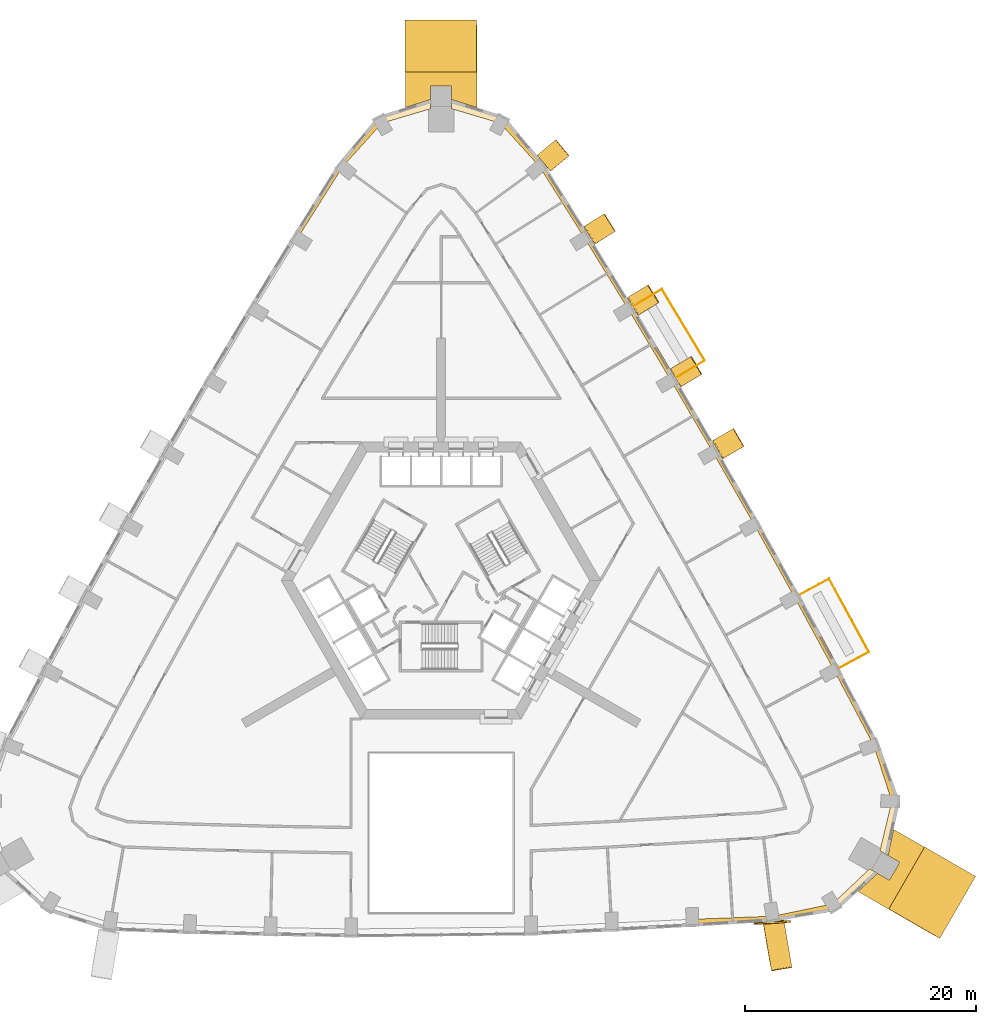
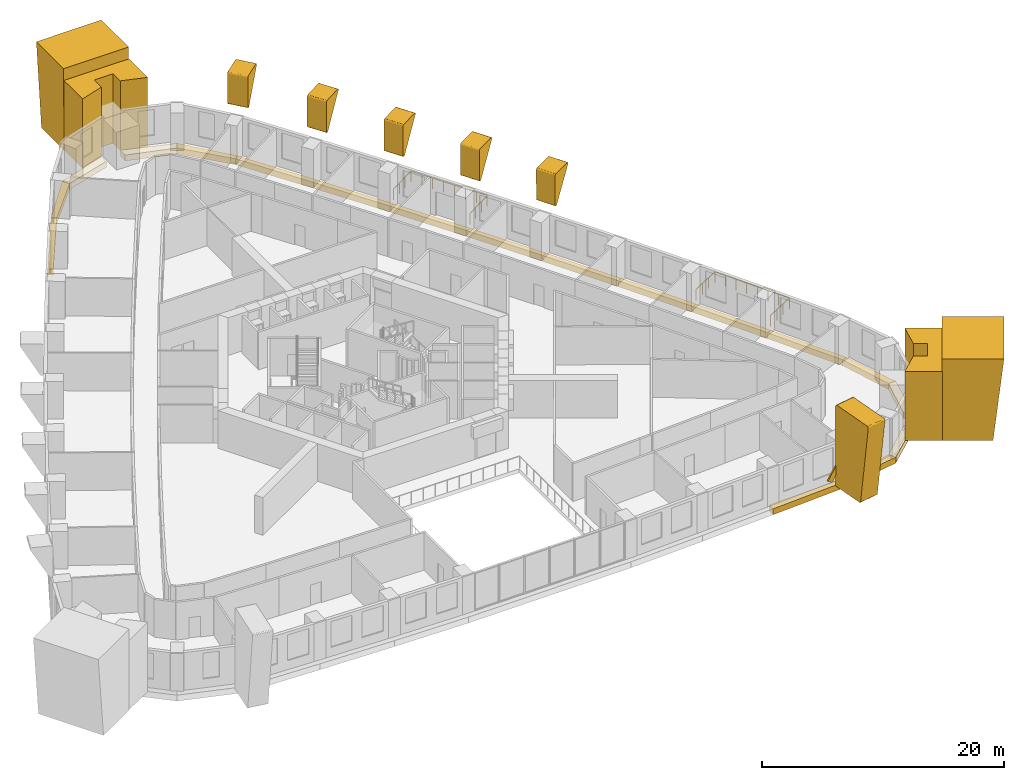
# One storey, part 15 of 15: 28 coverings, 2 railings, 1 shading device.
"""IFC4 building model written with IfcOpenShell, lengths in metres."""

import ifcopenshell
import ifcopenshell.guid

model = None  # the IFC model being written
_history = None  # IfcOwnerHistory: only IFC2X3 demands one
_inside = {}  # id of a spatial element -> (the spatial element, [elements in it])
_under = {}  # id of a project, library or spatial element -> (it, [spatial elements below it])
_declared = {}  # id of a project -> (the project, [libraries it declares])
_typed = {}  # id of a type object -> (the type object, [elements of that type])
_made_of = {}  # id of a material, layer set ... -> (it, [elements and type objects made of it])


def new_model(schema):
    """Start an empty IFC model of exactly this schema.

    Asked for "IFC4X3", IfcOpenShell would pick the latest addendum, in which some entities
    have other attributes; the version numbers below select the first issue.
    IFC2X3 requires an IfcOwnerHistory on every rooted entity: one is made here for all.
    """
    global model, _history
    if schema == "IFC4X3":
        model = ifcopenshell.file(schema_version=(4, 3, 0, 0))
    else:
        model = ifcopenshell.file(schema=schema)
    _inside.clear()
    _under.clear()
    _declared.clear()
    _typed.clear()
    _made_of.clear()
    _history = None
    if model.schema == "IFC2X3":
        org = make("IfcOrganization", Name="unknown")
        user = make(
            "IfcPersonAndOrganization",
            ThePerson=make("IfcPerson", FamilyName="unknown"),
            TheOrganization=org,
        )
        app = make(
            "IfcApplication",
            ApplicationDeveloper=org,
            Version="unknown",
            ApplicationFullName="unknown",
            ApplicationIdentifier="unknown",
        )
        _history = make(
            "IfcOwnerHistory",
            OwningUser=user,
            OwningApplication=app,
            ChangeAction="ADDED",
            CreationDate=0,
        )
    return model


def make(cls, **values):
    """One entity of the class cls with the attributes given. An attribute that is None is left unset."""
    return model.create_entity(
        cls, **{name: value for name, value in values.items() if value is not None}
    )


def rooted(cls, **values):
    """An entity with a GlobalId (a new one), such as an element, a storey or a relation."""
    return make(cls, GlobalId=ifcopenshell.guid.new(), OwnerHistory=_history, **values)


def si_unit(unit_type, name, prefix=None):
    """IfcSIUnit, for example si_unit("LENGTHUNIT", "METRE", prefix="MILLI")."""
    return make("IfcSIUnit", UnitType=unit_type, Prefix=prefix, Name=name)


def assignment(units):
    """IfcUnitAssignment: the units of a project."""
    return None if units is None else make("IfcUnitAssignment", Units=units)


def point(xyz):
    """IfcCartesianPoint."""
    return None if xyz is None else make("IfcCartesianPoint", Coordinates=xyz)


def direction(xyz):
    """IfcDirection."""
    return None if xyz is None else make("IfcDirection", DirectionRatios=xyz)


def frame(location, z_axis=None, x_axis=None):
    """IfcAxis2Placement3D, a coordinate frame: its origin and axes. An axis left out is left unset."""
    return make(
        "IfcAxis2Placement3D",
        Location=point(location),
        Axis=direction(z_axis),
        RefDirection=direction(x_axis),
    )


def frame_2d(location, x_axis=None):
    """IfcAxis2Placement2D, a coordinate frame in the plane: its origin and x axis."""
    return make(
        "IfcAxis2Placement2D", Location=point(location), RefDirection=direction(x_axis)
    )


def origin():
    """The frame at (0, 0, 0) with its axes left unset."""
    return frame((0.0, 0.0, 0.0))


def origin_2d():
    """The frame at (0, 0) in the plane with its x axis left unset."""
    return frame_2d((0.0, 0.0))


def place(relative_to, where):
    """IfcLocalPlacement: puts the frame where relative to a parent placement (None: the world)."""
    return make(
        "IfcLocalPlacement", PlacementRelTo=relative_to, RelativePlacement=where
    )


def context(
    kind, dimensions, precision=None, world=None, true_north=None, identifier=None
):
    """IfcGeometricRepresentationContext, for example the 3D "Model" context."""
    return make(
        "IfcGeometricRepresentationContext",
        ContextIdentifier=identifier,
        ContextType=kind,
        CoordinateSpaceDimension=dimensions,
        Precision=precision,
        WorldCoordinateSystem=world,
        TrueNorth=true_north,
    )


def subcontext(parent, identifier, kind, view, scale=None):
    """IfcGeometricRepresentationSubContext, for example "Body" below "Model"."""
    return make(
        "IfcGeometricRepresentationSubContext",
        ContextIdentifier=identifier,
        ContextType=kind,
        ParentContext=parent,
        TargetScale=scale,
        TargetView=view,
    )


def project(units=None, contexts=None):
    """IfcProject with its units and contexts."""
    return rooted(
        "IfcProject",
        Name="project",
        RepresentationContexts=contexts,
        UnitsInContext=assignment(units),
    )


def spatial(cls, under=None, at=None, **own):
    """A site, building, storey or space (cls), placed at a placement, below another one or the project."""
    s = rooted(cls, ObjectPlacement=at, **own)
    if under is not None:
        _under.setdefault(under.id(), (under, []))[1].append(s)
    return s


def polyline(points):
    """IfcPolyline through the points."""
    return make("IfcPolyline", Points=[point(p) for p in points])


def profile(cls, at=None, kind="AREA", **sizes):
    """A parametric profile (cls). Its sizes go by their IFC names, for example OverallWidth=200.0."""
    return make(cls, ProfileType=kind, Position=at, **sizes)


def rectangle(**sizes):
    """IfcRectangleProfileDef."""
    return profile("IfcRectangleProfileDef", **sizes)


def circle(**sizes):
    """IfcCircleProfileDef."""
    return profile("IfcCircleProfileDef", **sizes)


def outline(outer, holes=None, kind="AREA"):
    """IfcArbitraryClosedProfileDef: a profile drawn as a closed curve; with holes, ...WithVoids."""
    if holes is None:
        return make("IfcArbitraryClosedProfileDef", ProfileType=kind, OuterCurve=outer)
    return make(
        "IfcArbitraryProfileDefWithVoids",
        ProfileType=kind,
        OuterCurve=outer,
        InnerCurves=holes,
    )


def extrude(swept, where, along, depth):
    """IfcExtrudedAreaSolid: the profile swept, set in the frame where, extruded along a direction by depth."""
    return make(
        "IfcExtrudedAreaSolid",
        SweptArea=swept,
        Position=where,
        ExtrudedDirection=direction(along),
        Depth=depth,
    )


def shape(context_of_items, identifier, shape_type, items):
    """IfcShapeRepresentation: the items that make up one representation, for example the "Body"."""
    return make(
        "IfcShapeRepresentation",
        ContextOfItems=context_of_items,
        RepresentationIdentifier=identifier,
        RepresentationType=shape_type,
        Items=items,
    )


def material(Name=None, Category=None):
    """IfcMaterial."""
    return make("IfcMaterial", Name=Name, Category=Category)


def material_profile(
    of_material, cross_section, Name=None, Category=None, Priority=None
):
    """IfcMaterialProfile: a cross section and its material."""
    return make(
        "IfcMaterialProfile",
        Name=Name,
        Material=of_material,
        Profile=cross_section,
        Priority=Priority,
        Category=Category,
    )


def profile_set(profiles, Name=None, composite=None):
    """IfcMaterialProfileSet."""
    return make(
        "IfcMaterialProfileSet",
        Name=Name,
        MaterialProfiles=profiles,
        CompositeProfile=composite,
    )


def made_of(thing, what):
    """Note that an element or type object is made of a material, layer set ...; save() writes the relation."""
    if what is not None:
        _made_of.setdefault(what.id(), (what, []))[1].append(thing)
    return thing


def type_object(cls, material=None, **own):
    """A type object (cls), such as IfcWallType, which elements share."""
    return made_of(rooted(cls, **own), material)


def element(
    cls,
    number,
    at=None,
    inside=None,
    cuts=None,
    type_object=None,
    material=None,
    context=None,
    identifier="Body",
    shape_type=None,
    held_by="IfcProductDefinitionShape",
    body=None,
    shapes=None,
    **own,
):
    """One element of the class cls, such as IfcWall. Its Tag is "e" and its number.

    at: its placement. inside: the storey or other place that contains it. cuts: it is an
    opening in that element (IfcRelVoidsElement). A single representation is given by context,
    identifier, shape_type and body (its items); several are given by shapes. held_by: the class
    of the entity that holds the representations. save() writes the other relations.
    """
    e = rooted(cls, Tag="e%d" % number, ObjectPlacement=at, **own)
    if body is not None:
        shapes = [shape(context, identifier, shape_type, body)]
    if shapes is not None:
        e.Representation = make(held_by, Representations=shapes)
    if inside is not None:
        _inside.setdefault(inside.id(), (inside, []))[1].append(e)
    if cuts is not None:
        rooted(
            "IfcRelVoidsElement", RelatingBuildingElement=cuts, RelatedOpeningElement=e
        )
    if type_object is not None:
        _typed.setdefault(type_object.id(), (type_object, []))[1].append(e)
    return made_of(e, material)


def aggregate(whole, parts):
    """IfcRelAggregates: a whole, such as a stair, and the parts it consists of."""
    return rooted("IfcRelAggregates", RelatingObject=whole, RelatedObjects=parts)


def save(model, path):
    """Write the relations noted so far, then the file.

    IfcRelAggregates (storeys below a building ...), IfcRelContainedInSpatialStructure (elements
    in a storey), IfcRelDefinesByType, IfcRelAssociatesMaterial and IfcRelDeclares: one each for
    every whole, place, type object, material and project.
    """
    for whole, parts in _under.values():
        aggregate(whole, parts)
    for where, things in _inside.values():
        rooted(
            "IfcRelContainedInSpatialStructure",
            RelatedElements=things,
            RelatingStructure=where,
        )
    for kind, things in _typed.values():
        rooted("IfcRelDefinesByType", RelatedObjects=things, RelatingType=kind)
    for what, things in _made_of.values():
        rooted("IfcRelAssociatesMaterial", RelatedObjects=things, RelatingMaterial=what)
    for by, libraries in _declared.values():
        rooted("IfcRelDeclares", RelatingContext=by, RelatedDefinitions=libraries)
    model.write(path)


model = new_model("IFC4")

# Units and contexts
model_context = context("Model", 3, precision=1e-05, world=origin(), true_north=direction((0.0, 1.0)))
body_context = subcontext(model_context, "Body", "Model", "MODEL_VIEW")
ifc_project = project(units=[si_unit("LENGTHUNIT", "METRE"), si_unit("AREAUNIT", "SQUARE_METRE"), si_unit("VOLUMEUNIT", "CUBIC_METRE"), si_unit("PLANEANGLEUNIT", "RADIAN"), si_unit("MASSUNIT", "GRAM", prefix="KILO")], contexts=[model_context])

# Site, building, storey
site_placement = place(None, origin())
site = spatial("IfcSite", under=ifc_project, at=site_placement, CompositionType="ELEMENT")
building_placement = place(site_placement, origin())
building = spatial("IfcBuilding", under=site, at=building_placement, Name="Entoto Arch Interchange Tower", CompositionType="ELEMENT")
storey_placement = place(building_placement, frame((0.0, 0.0, 124.39990234375)))
storey = spatial("IfcBuildingStorey", under=building, at=storey_placement, Name="L27", CompositionType="ELEMENT", Elevation=124.39990234375)

# Shading device
ifc_material_1 = material(Name="Board-marked precast concrete C50/60", Category="concrete")
ifc_material_profile = material_profile(ifc_material_1, rectangle(XDim=0.14990234375, YDim=0.5, at=origin_2d()))
ifc_profile_set = profile_set([ifc_material_profile], Name="Board-marked precast concrete C50/60")
shading_device_type = type_object("IfcShadingDeviceType", Name="FOLD BAND PRECAST 150x500", PredefinedType="USERDEFINED", material=ifc_profile_set)
shading_device_placement = place(storey_placement, frame((27.31103515625, -27.2109375, 0.25), z_axis=(0.55036805314, 0.033943404158, 0.834231893059), x_axis=(-0.061557048165, 0.998103566681, 0.0)))
element("IfcShadingDevice", 1, at=shading_device_placement, inside=storey, type_object=shading_device_type, Name="Fold band L27", ObjectType="FOLD BAND", PredefinedType="USERDEFINED", context=body_context, shape_type="SweptSolid", body=[
    extrude(rectangle(XDim=0.14990234375, YDim=0.5, at=origin_2d()), origin(), (0.0, 0.0, 1.0), 5.034912109375),
])

# Railings
ifc_material_2 = material(Name="Stainless steel 1.4301", Category="steel")
railing_type = type_object("IfcRailingType", Name="GUARD 1100 STEEL AND GLASS", PredefinedType="GUARDRAIL", material=ifc_material_2)
railing_1_placement = place(storey_placement, frame((34.468994140625, -5.0869140625, 0.0)))
element("IfcRailing", 2, at=railing_1_placement, inside=storey, type_object=railing_type, Name="Balcony guard NE-02 L27", PredefinedType="GUARDRAIL", context=body_context, shape_type="SweptSolid", body=[
    extrude(circle(Radius=0.02392578125, at=origin_2d()), frame((0.0, 0.0, 1.076171875), z_axis=(0.878946606197, 0.476920185624, 0.0), x_axis=(-0.476920185624, 0.878946606197, 0.0)), (0.0, 0.0, 1.0), 2.9501953125),
    extrude(circle(Radius=0.02392578125, at=origin_2d()), frame((2.593017578125, 1.406982421875, 1.076171875), z_axis=(-0.476958924823, 0.878925585036, 0.0), x_axis=(-0.878925585036, -0.476958924823, 0.0)), (0.0, 0.0, 1.0), 7.21435546875),
    extrude(circle(Radius=0.02392578125, at=origin_2d()), frame((-0.847900390625, 7.747802734375, 1.076171875), z_axis=(-0.878946606197, -0.476920185624, 0.0), x_axis=(0.476920185624, -0.878946606197, 0.0)), (0.0, 0.0, 1.0), 2.9501953125),
    extrude(circle(Radius=0.02099609375, at=origin_2d()), origin(), (0.0, 0.0, 1.0), 1.052001953125),
    extrude(circle(Radius=0.02099609375, at=origin_2d()), frame((0.8642578125, 0.468994140625, 0.0)), (0.0, 0.0, 1.0), 1.052001953125),
    extrude(circle(Radius=0.02099609375, at=origin_2d()), frame((1.728759765625, 0.93798828125, 0.0)), (0.0, 0.0, 1.0), 1.052001953125),
    extrude(circle(Radius=0.02099609375, at=origin_2d()), frame((2.593017578125, 1.406982421875, 0.0)), (0.0, 0.0, 1.0), 1.052001953125),
    extrude(circle(Radius=0.02099609375, at=origin_2d()), frame((2.1015625, 2.312744140625, 0.0)), (0.0, 0.0, 1.0), 1.052001953125),
    extrude(circle(Radius=0.02099609375, at=origin_2d()), frame((1.60986328125, 3.21875, 0.0)), (0.0, 0.0, 1.0), 1.052001953125),
    extrude(circle(Radius=0.02099609375, at=origin_2d()), frame((1.118408203125, 4.12451171875, 0.0)), (0.0, 0.0, 1.0), 1.052001953125),
    extrude(circle(Radius=0.02099609375, at=origin_2d()), frame((0.626708984375, 5.0302734375, 0.0)), (0.0, 0.0, 1.0), 1.052001953125),
    extrude(circle(Radius=0.02099609375, at=origin_2d()), frame((0.13525390625, 5.93603515625, 0.0)), (0.0, 0.0, 1.0), 1.052001953125),
    extrude(circle(Radius=0.02099609375, at=origin_2d()), frame((-0.3564453125, 6.842041015625, 0.0)), (0.0, 0.0, 1.0), 1.052001953125),
    extrude(circle(Radius=0.02099609375, at=origin_2d()), frame((-0.847900390625, 7.747802734375, 0.0)), (0.0, 0.0, 1.0), 1.052001953125),
    extrude(circle(Radius=0.02099609375, at=origin_2d()), frame((-1.712158203125, 7.27880859375, 0.0)), (0.0, 0.0, 1.0), 1.052001953125),
    extrude(circle(Radius=0.02099609375, at=origin_2d()), frame((-2.57666015625, 6.809814453125, 0.0)), (0.0, 0.0, 1.0), 1.052001953125),
    extrude(circle(Radius=0.02099609375, at=origin_2d()), frame((-3.44091796875, 6.3408203125, 0.0)), (0.0, 0.0, 1.0), 1.052001953125),
])
railing_2_placement = place(storey_placement, frame((20.305908203125, 20.053955078125, 0.0)))
element("IfcRailing", 3, at=railing_2_placement, inside=storey, type_object=railing_type, Name="Balcony guard NE-06 L27", PredefinedType="GUARDRAIL", context=body_context, shape_type="SweptSolid", body=[
    extrude(circle(Radius=0.02392578125, at=origin_2d()), frame((0.0, 0.0, 1.076171875), z_axis=(0.858010980341, 0.513631344072, 0.0), x_axis=(-0.513631344072, 0.858010980341, 0.0)), (0.0, 0.0, 1.0), 2.949951171875),
    extrude(circle(Radius=0.02392578125, at=origin_2d()), frame((2.531005859375, 1.51513671875, 1.076171875), z_axis=(-0.513664431752, 0.857991172188, 0.0), x_axis=(-0.857991172188, -0.513664431752, 0.0)), (0.0, 0.0, 1.0), 7.21435546875),
    extrude(circle(Radius=0.02392578125, at=origin_2d()), frame((-1.1748046875, 7.705078125, 1.076171875), z_axis=(-0.858010980341, -0.513631344072, 0.0), x_axis=(0.513631344072, -0.858010980341, 0.0)), (0.0, 0.0, 1.0), 2.949951171875),
    extrude(circle(Radius=0.02099609375, at=origin_2d()), origin(), (0.0, 0.0, 1.0), 1.052001953125),
    extrude(circle(Radius=0.02099609375, at=origin_2d()), frame((0.84375, 0.505126953125, 0.0)), (0.0, 0.0, 1.0), 1.052001953125),
    extrude(circle(Radius=0.02099609375, at=origin_2d()), frame((1.687255859375, 1.010009765625, 0.0)), (0.0, 0.0, 1.0), 1.052001953125),
    extrude(circle(Radius=0.02099609375, at=origin_2d()), frame((2.531005859375, 1.51513671875, 0.0)), (0.0, 0.0, 1.0), 1.052001953125),
    extrude(circle(Radius=0.02099609375, at=origin_2d()), frame((2.001708984375, 2.3994140625, 0.0)), (0.0, 0.0, 1.0), 1.052001953125),
    extrude(circle(Radius=0.02099609375, at=origin_2d()), frame((1.47216796875, 3.28369140625, 0.0)), (0.0, 0.0, 1.0), 1.052001953125),
    extrude(circle(Radius=0.02099609375, at=origin_2d()), frame((0.94287109375, 4.16796875, 0.0)), (0.0, 0.0, 1.0), 1.052001953125),
    extrude(circle(Radius=0.02099609375, at=origin_2d()), frame((0.413330078125, 5.05224609375, 0.0)), (0.0, 0.0, 1.0), 1.052001953125),
    extrude(circle(Radius=0.02099609375, at=origin_2d()), frame((-0.115966796875, 5.9365234375, 0.0)), (0.0, 0.0, 1.0), 1.052001953125),
    extrude(circle(Radius=0.02099609375, at=origin_2d()), frame((-0.6455078125, 6.82080078125, 0.0)), (0.0, 0.0, 1.0), 1.052001953125),
    extrude(circle(Radius=0.02099609375, at=origin_2d()), frame((-1.1748046875, 7.705078125, 0.0)), (0.0, 0.0, 1.0), 1.052001953125),
    extrude(circle(Radius=0.02099609375, at=origin_2d()), frame((-2.0185546875, 7.199951171875, 0.0)), (0.0, 0.0, 1.0), 1.052001953125),
    extrude(circle(Radius=0.02099609375, at=origin_2d()), frame((-2.862060546875, 6.695068359375, 0.0)), (0.0, 0.0, 1.0), 1.052001953125),
    extrude(circle(Radius=0.02099609375, at=origin_2d()), frame((-3.705810546875, 6.18994140625, 0.0)), (0.0, 0.0, 1.0), 1.052001953125),
])

# Coverings
covering_type_1 = type_object("IfcCoveringType", Name="PRECAST FRAME COURSE", PredefinedType="CLADDING", material=ifc_material_1)
covering_1_placement = place(storey_placement, frame((0.0, 0.0, -0.39990234375)))
element("IfcCovering", 4, at=covering_1_placement, inside=storey, type_object=covering_type_1, Name="Corner pilaster SE L27-L28", PredefinedType="CLADDING", context=body_context, shape_type="SweptSolid", body=[
    extrude(outline(polyline([(41.882080078125, -20.60107421875), (38.781982421875, -25.970947265625), (36.110107421875, -24.427978515625), (37.81494140625, -22.8720703125), (38.842041015625, -23.465087890625), (39.741943359375, -21.906982421875), (38.715087890625, -21.31396484375), (39.2099609375, -19.05908203125), (41.882080078125, -20.60107421875)])), origin(), (0.0, 0.0, 1.0), 7.0),
])
covering_2_placement = place(storey_placement, frame((0.0, 0.0, -0.39990234375)))
element("IfcCovering", 5, at=covering_2_placement, inside=storey, type_object=covering_type_1, Name="Corner pilaster N L27-L28", PredefinedType="CLADDING", context=body_context, shape_type="SweptSolid", body=[
    extrude(outline(polyline([(-3.10009765625, 46.571044921875), (3.10009765625, 46.571044921875), (3.10009765625, 43.486083984375), (0.89990234375, 44.18505859375), (0.89990234375, 45.37109375), (-0.89990234375, 45.37109375), (-0.89990234375, 44.18505859375), (-3.10009765625, 43.486083984375), (-3.10009765625, 46.571044921875)])), origin(), (0.0, 0.0, 1.0), 7.0),
])
covering_3_placement = place(storey_placement, frame((38.781982421875, -25.970947265625, -0.39990234375), z_axis=(-0.500004328411, -0.866017478506, 0.003065696006), x_axis=(0.86602154802, -0.50000667832, -9.3823e-08)))
element("IfcCovering", 6, at=covering_3_placement, inside=storey, type_object=covering_type_1, Name="Corner rib SE L27-L28", PredefinedType="CLADDING", context=body_context, shape_type="SweptSolid", body=[
    extrude(outline(polyline([(0.0, 0.0), (4.194057601725115, 8.673617379884035e-19), (5.099624732761729, 8.199990184200859), (-0.0006271231549636906, 8.199989312172928), (0.0, 0.0)])), origin(), (0.0, 0.0, -1.0), 6.199951171875),
])
covering_4_placement = place(storey_placement, frame((3.10009765625, 46.571044921875, -0.39990234375), z_axis=(0.999995297823, 0.0, 0.003066648277), x_axis=(0.0, 1.0, 0.0)))
element("IfcCovering", 7, at=covering_4_placement, inside=storey, type_object=covering_type_1, Name="Corner rib N L27-L28", PredefinedType="CLADDING", context=body_context, shape_type="SweptSolid", body=[
    extrude(outline(polyline([(0.0, 0.0), (3.700927734375, 0.0), (4.5, 8.199989729677144), (0.0, 8.199989729677144), (0.0, 0.0)])), origin(), (0.0, 0.0, -1.0), 6.199951171875),
])
covering_5_placement = place(storey_placement, frame((27.922119140625, -27.343994140625, -0.39990234375), z_axis=(-0.985737828754, -0.168262075628, 0.002967636997), x_axis=(-0.167150447435, 0.980968131209, 0.098804116689)))
element("IfcCovering", 8, at=covering_5_placement, inside=storey, type_object=covering_type_1, Name="Fold rib S08 L27-L28", PredefinedType="CLADDING", context=body_context, shape_type="SweptSolid", body=[
    extrude(outline(polyline([(0.0, 0.0), (0.029646244240788225, 4.336808689942018e-19), (0.05760279678776599, -0.005319525972100022), (0.08529737254387515, -0.016555010102677632), (0.10938630322490643, -0.03329927589599016), (0.13086483277073518, -0.05422885297442807), (0.14646555421098706, -0.07893198614563944), (0.15826411282028868, -0.10597626848815718), (0.16414768340953273, -0.13434080968590267), (0.9447868744054962, -7.9958613937934055), (0.9445439799182571, -8.02507938222977), (0.9335533295886909, -8.068370991025505), (0.9107239818074898, -8.10571972546166), (0.8789710289132291, -8.134879445951384), (0.8390889480205116, -8.154049949628961), (0.8100216341509477, -8.159880628204911), (-3.076376880273284, -8.545762153998082), (-3.120386711654066, -8.54326163827266), (-3.148896345658115, -8.53480748503325), (-3.1868176485840287, -8.511585726184748), (-3.2166665271163235, -8.478237482887517), (-3.234889650064479, -8.436865776655768), (-3.2413108140887523, -8.393344021291503), (-3.0650773970620744, -0.43706325717011224), (-3.057918653495043, -0.3941501597556465), (-3.0383435675337758, -0.3549178826541837), (-3.008723666909991, -0.3237609133891123), (-2.971358865053215, -0.30115914825353185), (-2.9295854815995206, -0.29087820996904684), (0.0, 0.0)])), origin(), (0.0, 0.0, -1.0), 1.800048828125),
])
covering_6_placement = place(storey_placement, frame((24.635009765625, 13.18408203125, 4.63916015625), z_axis=(0.499880471993, -0.866089286389, 0.002976864503), x_axis=(-0.555192586587, -0.323074577655, -0.766409817964)))
element("IfcCovering", 9, at=covering_6_placement, inside=storey, type_object=covering_type_1, Name="Fold rib NE05 L27-L28", PredefinedType="CLADDING", context=body_context, shape_type="SweptSolid", body=[
    extrude(outline(polyline([(0.0, 0.0), (0.04459603121358599, 3.469446951953614e-18), (0.0875194128037835, -0.013967016388841041), (0.12350555400789623, -0.03979754090509523), (0.1435687364477599, -0.06221624459362514), (0.15721244965800757, -0.08799882962974354), (0.1694040362152296, -0.13029104837748334), (0.1680404450605012, -0.1754118653663964), (0.15351510729006945, -0.21737483361175575), (0.1281126738256767, -0.2539577493075404), (-2.1295215278620274, -2.1466698495143284), (-2.153865417089064, -2.1628494348321023), (-2.195835426083576, -2.1781482307206326), (-2.238971873685484, -2.1810318320124895), (-2.281856741348387, -2.1701525285620717), (-2.319986142446147, -2.1482198978914235), (-2.340868493736297, -2.127867225842484), (-3.5291749702798882, -0.7100486049825285), (-3.5453300121549756, -0.6862115826263346), (-3.561508614906284, -0.6452445525246666), (-3.564681019390176, -0.6163739293755897), (-3.5617180975542055, -0.5872216700297324), (-3.5537667778146043, -0.5594600652389294), (-3.5412750566157136, -0.5336979031127331), (-3.522666164605442, -0.5106726574466551), (-3.501129155774052, -0.49151843940504025), (-3.4768115759223743, -0.4768255351449875), (-3.4342608727402286, -0.4652636134073449), (0.0, 0.0)])), origin(), (0.0, 0.0, -1.0), 1.800048828125),
])
covering_7_placement = place(storey_placement, frame((21.0029296875, 19.4208984375, 4.63916015625), z_axis=(0.509786366705, -0.860295576065, 0.0030630254), x_axis=(-0.555565012758, -0.331926101622, -0.76234675815)))
element("IfcCovering", 10, at=covering_7_placement, inside=storey, type_object=covering_type_1, Name="Fold rib NE06 L27-L28", PredefinedType="CLADDING", context=body_context, shape_type="SweptSolid", body=[
    extrude(outline(polyline([(0.0, 0.0), (0.04483488028349704, -3.469446951953614e-18), (0.08641931579714045, -0.013524469183015787), (0.1234491552098694, -0.03866014953447026), (0.15027707319284997, -0.07328283857626616), (0.16684954854966233, -0.1146828846766143), (0.1712539419223366, -0.14439243822597966), (0.16860720361905057, -0.17372050760768784), (0.15474649606434693, -0.21624158946117103), (0.128493037338129, -0.25171181465992093), (-2.1163739212113484, -2.159548382245262), (-2.14047395753444, -2.176047935313306), (-2.1818069383402, -2.1922483418686807), (-2.2259265795559853, -2.1942227645639956), (-2.2681995823490437, -2.1844154363867343), (-2.306782288802404, -2.1623530641104516), (-2.327793832893727, -2.142129266483803), (-3.523830412032187, -0.7332143574814898), (-3.547354541668721, -0.6964503266588165), (-3.556348021862809, -0.6688814128598994), (-3.5596996048800955, -0.6400331895202915), (-3.5566988332132095, -0.6111290879390414), (-3.5431774216849927, -0.5697123291977444), (-3.528881999360439, -0.5450566325726889), (-3.508685519951208, -0.5239525619286831), (-3.4851280275858887, -0.5068115437810066), (-3.458734938104968, -0.49489589966080394), (-3.4303118364071437, -0.48801196209163344), (0.0, 0.0)])), origin(), (0.0, 0.0, -1.0), 1.800048828125),
])
covering_8_placement = place(storey_placement, frame((17.304931640625, 25.6201171875, 4.64013671875), z_axis=(0.520393342749, -0.853921438956, 0.002990804869), x_axis=(-0.569928201649, -0.349927255738, -0.743459992641)))
element("IfcCovering", 11, at=covering_8_placement, inside=storey, type_object=covering_type_1, Name="Fold rib NE07 L27-L28", PredefinedType="CLADDING", context=body_context, shape_type="SweptSolid", body=[
    extrude(outline(polyline([(0.0, 0.0), (0.044334710559900986, 0.0), (0.08719541847859374, -0.011508614710365184), (0.12526958555119344, -0.03594585305722552), (0.14467345253561492, -0.05751775670919348), (0.16049020907373143, -0.08276772146704481), (0.17357702484601545, -0.12579129755448726), (0.17414059221898415, -0.1694942368850016), (0.16142105833578888, -0.21230354193985435), (0.13653500137590796, -0.24888585962649792), (-2.0519190145768507, -2.219718323887126), (-2.0759571549200277, -2.236438673870285), (-2.116728461755619, -2.253905433456904), (-2.1605160667151115, -2.257426858205899), (-2.203448763666899, -2.248397205186044), (-2.2419468096563895, -2.228232106006326), (-2.2639559393826016, -2.2081493012945392), (-3.496241502748172, -0.8382419012905675), (-3.5210655283503716, -0.8018855999846792), (-3.5308466330533066, -0.7745844860486406), (-3.535104891992373, -0.7457548773181439), (-3.533636106363254, -0.7159929680105661), (-3.5272392168049977, -0.6887866234434803), (-3.5070786805659284, -0.6498696505271009), (-3.4878322980809338, -0.6278246295832237), (-3.464777885541781, -0.6100130815050697), (-3.4383421184217626, -0.5977827894859282), (-3.4105234734803114, -0.5896496164507086), (0.0, 0.0)])), origin(), (0.0, 0.0, -1.0), 1.800048828125),
])
covering_9_placement = place(storey_placement, frame((13.541015625, 31.778076171875, 4.64208984375), z_axis=(0.529832111056, -0.848097164786, 0.00302211448), x_axis=(-0.524660186285, -0.330566717404, -0.784510888562)))
element("IfcCovering", 12, at=covering_9_placement, inside=storey, type_object=covering_type_1, Name="Fold rib NE08 L27-L28", PredefinedType="CLADDING", context=body_context, shape_type="SweptSolid", body=[
    extrude(outline(polyline([(0.0, 0.0), (0.02925444103712144, 0.0), (0.05928987490038924, -0.005716393774444627), (0.09935638268689959, -0.024120640221261612), (0.13191945447661133, -0.05389878200495863), (0.15502242204300287, -0.09296885186667392), (0.16559436975704328, -0.13547852292535584), (0.16344255600000887, -0.18078835936787427), (0.14750934434651894, -0.22204835812207674), (0.12066571290091778, -0.25738536500831544), (-2.1879381508632423, -2.082856754815689), (-2.2125902467724035, -2.098516040496068), (-2.2544732847692206, -2.1132483190204714), (-2.2980712690073632, -2.1143929708609446), (-2.3403429961413234, -2.102646847385496), (-2.3779264303410783, -2.079508916554269), (-2.3986165848851315, -2.0580601164149352), (-3.5362253420084757, -0.6188476328527741), (-3.552446843930652, -0.5936027085075364), (-3.566274818281791, -0.5536667265429094), (-3.568926940693361, -0.5243263257775925), (-3.566331838937049, -0.49532453600231463), (-3.557849058683896, -0.4674747611120911), (-3.543346101212518, -0.4421235925022611), (-3.5256822984707896, -0.4195846108595014), (-3.5028901120110993, -0.40156878720111777), (-3.463258861132239, -0.3824149364182776), (-3.4347412240359825, -0.37636704993825854), (0.0, 0.0)])), origin(), (0.0, 0.0, -1.0), 1.800048828125),
])
covering_10_placement = place(storey_placement, frame((9.68896484375, 38.136962890625, 4.64599609375), z_axis=(0.638831886137, -0.769340869949, 0.002906386218), x_axis=(-0.466696901444, -0.390525405962, -0.793526250026)))
element("IfcCovering", 13, at=covering_10_placement, inside=storey, type_object=covering_type_1, Name="Fold rib NE09 L27-L28", PredefinedType="CLADDING", context=body_context, shape_type="SweptSolid", body=[
    extrude(outline(polyline([(0.0, 0.0), (0.030152109564702864, 0.0), (0.05867353992187112, -0.005899981177861856), (0.09923161546471027, -0.025888660393320898), (0.1322331122877506, -0.05608499785252382), (0.1542902742945218, -0.09447763782958984), (0.16462615867424782, -0.1376427176227276), (0.16118817640227145, -0.18250905188009797), (0.14540718316898144, -0.22411608352631662), (0.11752764004506505, -0.25877022129090127), (-2.2149281254408577, -2.048457366442453), (-2.2396564951216154, -2.0639547676720347), (-2.2820147512773654, -2.0777280260046522), (-2.3257354978812494, -2.0780883985613556), (-2.367499273540342, -2.066152815546446), (-2.4049244972333605, -2.042225217674226), (-2.4253963735519832, -2.020344031687237), (-3.532292262354705, -0.5769384227707379), (-3.547182096525813, -0.552706083989926), (-3.5608114248143394, -0.5120666375930736), (-3.5629957705899673, -0.48274034638276286), (-3.5554965388821795, -0.4399585275790603), (-3.544390856041086, -0.4135182423217383), (-3.5275902223082944, -0.389289685415128), (-3.5071945880342765, -0.3697497317101395), (-3.483303349513095, -0.3531613142083494), (-3.4563672048440757, -0.3425498413961341), (-3.427820031965959, -0.33684867627397286), (0.0, 0.0)])), origin(), (0.0, 0.0, -1.0), 1.800048828125),
])
covering_type_2 = type_object("IfcCoveringType", Name="PRECAST LEDGE COURSE", PredefinedType="CLADDING", material=ifc_material_1)
covering_11_placement = place(storey_placement, frame((0.0, 0.0, -1.0)))
element("IfcCovering", 14, at=covering_11_placement, inside=storey, type_object=covering_type_2, Name="Precast course S-07 L27", PredefinedType="CLADDING", context=body_context, shape_type="SweptSolid", body=[
    extrude(outline(polyline([(28.783935546875, -26.572998046875), (28.783935546875, -27.044921875), (21.7890625, -27.47802734375), (21.7890625, -26.841064453125), (28.783935546875, -26.572998046875)])), origin(), (0.0, 0.0, 1.0), 0.60009765625),
])
covering_12_placement = place(storey_placement, frame((0.0, 0.0, -1.0)))
element("IfcCovering", 15, at=covering_12_placement, inside=storey, type_object=covering_type_2, Name="Precast course SE-01 L27", PredefinedType="CLADDING", context=body_context, shape_type="SweptSolid", body=[
    extrude(outline(polyline([(33.9150390625, -25.506103515625), (34.27587890625, -26.10009765625), (28.783935546875, -27.044921875), (28.783935546875, -26.572998046875), (33.9150390625, -25.506103515625)])), origin(), (0.0, 0.0, 1.0), 0.60009765625),
])
covering_13_placement = place(storey_placement, frame((0.0, 0.0, -1.0)))
element("IfcCovering", 16, at=covering_13_placement, inside=storey, type_object=covering_type_2, Name="Precast course SE-02 L27", PredefinedType="CLADDING", context=body_context, shape_type="SweptSolid", body=[
    extrude(outline(polyline([(37.118896484375, -22.470947265625), (37.81494140625, -22.8720703125), (34.27587890625, -26.10009765625), (33.9150390625, -25.506103515625), (37.118896484375, -22.470947265625)])), origin(), (0.0, 0.0, 1.0), 0.60009765625),
])
covering_14_placement = place(storey_placement, frame((0.0, 0.0, -1.0)))
element("IfcCovering", 17, at=covering_14_placement, inside=storey, type_object=covering_type_2, Name="Precast course SE-03 L27", PredefinedType="CLADDING", context=body_context, shape_type="SweptSolid", body=[
    extrude(outline(polyline([(39.047119140625, -16.617919921875), (39.740966796875, -16.635009765625), (38.715087890625, -21.31396484375), (38.01904296875, -20.912109375), (39.047119140625, -16.617919921875)])), origin(), (0.0, 0.0, 1.0), 0.60009765625),
])
covering_15_placement = place(storey_placement, frame((0.0, 0.0, -1.0)))
element("IfcCovering", 18, at=covering_15_placement, inside=storey, type_object=covering_type_2, Name="Precast course SE-04 L27", PredefinedType="CLADDING", context=body_context, shape_type="SweptSolid", body=[
    extrude(outline(polyline([(37.47900390625, -11.782958984375), (37.924072265625, -11.617919921875), (39.740966796875, -16.635009765625), (39.047119140625, -16.617919921875), (37.47900390625, -11.782958984375)])), origin(), (0.0, 0.0, 1.0), 0.60009765625),
])
covering_16_placement = place(storey_placement, frame((0.0, 0.0, -1.0)))
element("IfcCovering", 19, at=covering_16_placement, inside=storey, type_object=covering_type_2, Name="Precast course NE-01 L27", PredefinedType="CLADDING", context=body_context, shape_type="SweptSolid", body=[
    extrude(outline(polyline([(34.06103515625, -5.303955078125), (34.468994140625, -5.0869140625), (37.924072265625, -11.617919921875), (37.47900390625, -11.782958984375), (34.06103515625, -5.303955078125)])), origin(), (0.0, 0.0, 1.0), 0.60009765625),
])
covering_17_placement = place(storey_placement, frame((0.0, 0.0, -1.0)))
element("IfcCovering", 20, at=covering_17_placement, inside=storey, type_object=covering_type_2, Name="Precast course NE-02 L27", PredefinedType="CLADDING", context=body_context, shape_type="SweptSolid", body=[
    extrude(outline(polyline([(30.6279296875, 1.035888671875), (31.028076171875, 1.25390625), (34.468994140625, -5.0869140625), (34.06103515625, -5.303955078125), (30.6279296875, 1.035888671875)])), origin(), (0.0, 0.0, 1.0), 0.60009765625),
])
covering_18_placement = place(storey_placement, frame((0.0, 0.0, -1.0)))
element("IfcCovering", 21, at=covering_18_placement, inside=storey, type_object=covering_type_2, Name="Precast course NE-03 L27", PredefinedType="CLADDING", context=body_context, shape_type="SweptSolid", body=[
    extrude(outline(polyline([(27.1259765625, 7.3369140625), (27.52001953125, 7.55810546875), (31.028076171875, 1.25390625), (30.6279296875, 1.035888671875), (27.1259765625, 7.3369140625)])), origin(), (0.0, 0.0, 1.0), 0.60009765625),
])
covering_19_placement = place(storey_placement, frame((0.0, 0.0, -1.0)))
element("IfcCovering", 22, at=covering_19_placement, inside=storey, type_object=covering_type_2, Name="Precast course NE-04 L27", PredefinedType="CLADDING", context=body_context, shape_type="SweptSolid", body=[
    extrude(outline(polyline([(23.555908203125, 13.60009765625), (23.945068359375, 13.824951171875), (27.52001953125, 7.55810546875), (27.1259765625, 7.3369140625), (23.555908203125, 13.60009765625)])), origin(), (0.0, 0.0, 1.0), 0.60009765625),
])
covering_20_placement = place(storey_placement, frame((0.0, 0.0, -1.0)))
element("IfcCovering", 23, at=covering_20_placement, inside=storey, type_object=covering_type_2, Name="Precast course NE-05 L27", PredefinedType="CLADDING", context=body_context, shape_type="SweptSolid", body=[
    extrude(outline(polyline([(19.9169921875, 19.822998046875), (20.305908203125, 20.053955078125), (23.945068359375, 13.824951171875), (23.555908203125, 13.60009765625), (19.9169921875, 19.822998046875)])), origin(), (0.0, 0.0, 1.0), 0.60009765625),
])
covering_21_placement = place(storey_placement, frame((0.0, 0.0, -1.0)))
element("IfcCovering", 24, at=covering_21_placement, inside=storey, type_object=covering_type_2, Name="Precast course NE-06 L27", PredefinedType="CLADDING", context=body_context, shape_type="SweptSolid", body=[
    extrude(outline(polyline([(16.2109375, 26.007080078125), (16.60009765625, 26.243896484375), (20.305908203125, 20.053955078125), (19.9169921875, 19.822998046875), (16.2109375, 26.007080078125)])), origin(), (0.0, 0.0, 1.0), 0.60009765625),
])
covering_22_placement = place(storey_placement, frame((0.0, 0.0, -1.0)))
element("IfcCovering", 25, at=covering_22_placement, inside=storey, type_object=covering_type_2, Name="Precast course NE-07 L27", PredefinedType="CLADDING", context=body_context, shape_type="SweptSolid", body=[
    extrude(outline(polyline([(12.43798828125, 32.14990234375), (12.8291015625, 32.39404296875), (16.60009765625, 26.243896484375), (16.2109375, 26.007080078125), (12.43798828125, 32.14990234375)])), origin(), (0.0, 0.0, 1.0), 0.60009765625),
])
covering_23_placement = place(storey_placement, frame((0.0, 0.0, -1.0)))
element("IfcCovering", 26, at=covering_23_placement, inside=storey, type_object=covering_type_2, Name="Precast course NE-08 L27", PredefinedType="CLADDING", context=body_context, shape_type="SweptSolid", body=[
    extrude(outline(polyline([(8.534912109375, 38.34912109375), (8.90087890625, 38.652099609375), (12.8291015625, 32.39404296875), (12.43798828125, 32.14990234375), (8.534912109375, 38.34912109375)])), origin(), (0.0, 0.0, 1.0), 0.60009765625),
])
covering_24_placement = place(storey_placement, frame((0.0, 0.0, -1.0)))
element("IfcCovering", 27, at=covering_24_placement, inside=storey, type_object=covering_type_2, Name="Precast course N-01 L27", PredefinedType="CLADDING", context=body_context, shape_type="SweptSolid", body=[
    extrude(outline(polyline([(5.132080078125, 42.1240234375), (5.465087890625, 42.73388671875), (8.90087890625, 38.652099609375), (8.534912109375, 38.34912109375), (5.132080078125, 42.1240234375)])), origin(), (0.0, 0.0, 1.0), 0.60009765625),
])
covering_25_placement = place(storey_placement, frame((0.0, 0.0, -1.0)))
element("IfcCovering", 28, at=covering_25_placement, inside=storey, type_object=covering_type_2, Name="Precast course N-02 L27", PredefinedType="CLADDING", context=body_context, shape_type="SweptSolid", body=[
    extrude(outline(polyline([(0.89990234375, 43.382080078125), (0.89990234375, 44.18505859375), (5.465087890625, 42.73388671875), (5.132080078125, 42.1240234375), (0.89990234375, 43.382080078125)])), origin(), (0.0, 0.0, 1.0), 0.60009765625),
])
covering_26_placement = place(storey_placement, frame((0.0, 0.0, -1.0)))
element("IfcCovering", 29, at=covering_26_placement, inside=storey, type_object=covering_type_2, Name="Precast course N-03 L27", PredefinedType="CLADDING", context=body_context, shape_type="SweptSolid", body=[
    extrude(outline(polyline([(-5.132080078125, 42.1240234375), (-5.465087890625, 42.73388671875), (-0.89990234375, 44.18505859375), (-0.89990234375, 43.382080078125), (-5.132080078125, 42.1240234375)])), origin(), (0.0, 0.0, 1.0), 0.60009765625),
])
covering_27_placement = place(storey_placement, frame((0.0, 0.0, -1.0)))
element("IfcCovering", 30, at=covering_27_placement, inside=storey, type_object=covering_type_2, Name="Precast course N-04 L27", PredefinedType="CLADDING", context=body_context, shape_type="SweptSolid", body=[
    extrude(outline(polyline([(-8.534912109375, 38.34912109375), (-8.90087890625, 38.652099609375), (-5.465087890625, 42.73388671875), (-5.132080078125, 42.1240234375), (-8.534912109375, 38.34912109375)])), origin(), (0.0, 0.0, 1.0), 0.60009765625),
])
covering_28_placement = place(storey_placement, frame((0.0, 0.0, -1.0)))
element("IfcCovering", 31, at=covering_28_placement, inside=storey, type_object=covering_type_2, Name="Precast course NW-01 L27", PredefinedType="CLADDING", context=body_context, shape_type="SweptSolid", body=[
    extrude(outline(polyline([(-12.43798828125, 32.14990234375), (-12.8291015625, 32.39404296875), (-8.90087890625, 38.652099609375), (-8.534912109375, 38.34912109375), (-12.43798828125, 32.14990234375)])), origin(), (0.0, 0.0, 1.0), 0.60009765625),
])

save(model, "model.ifc")
